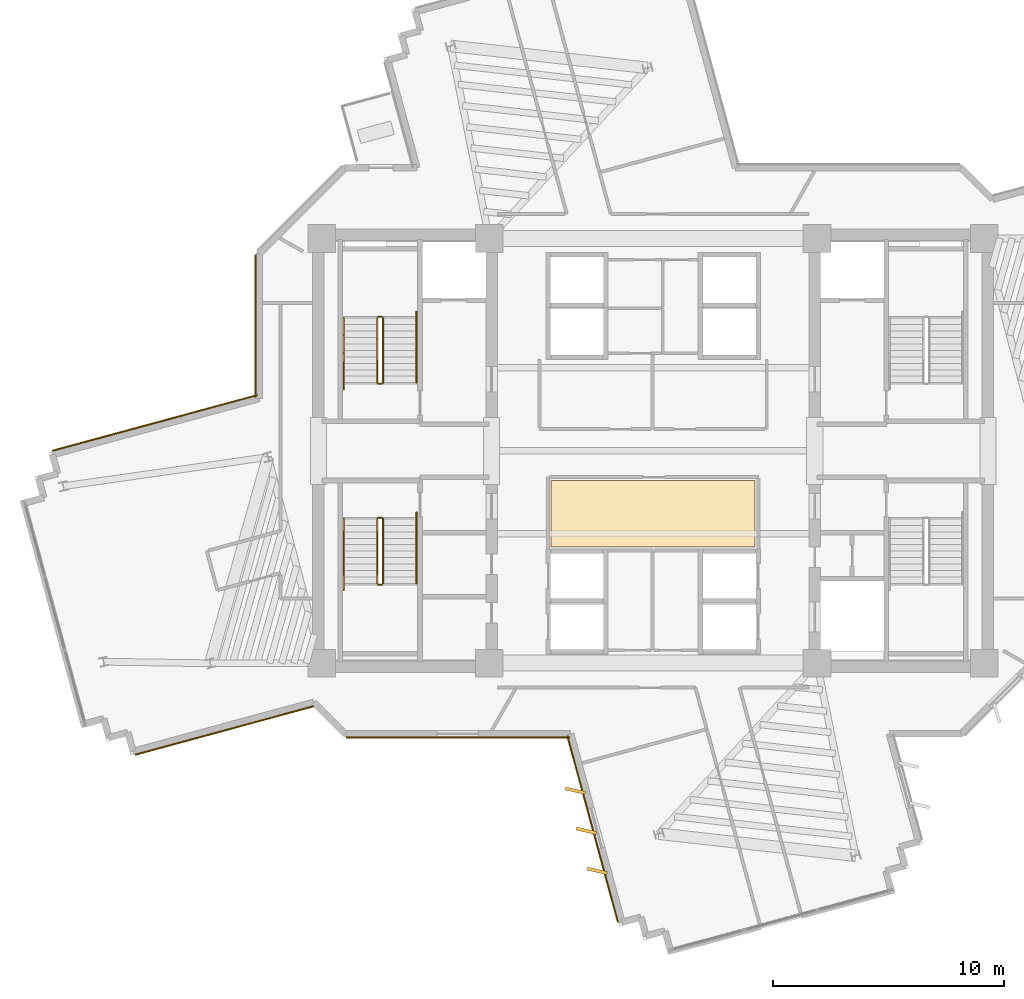
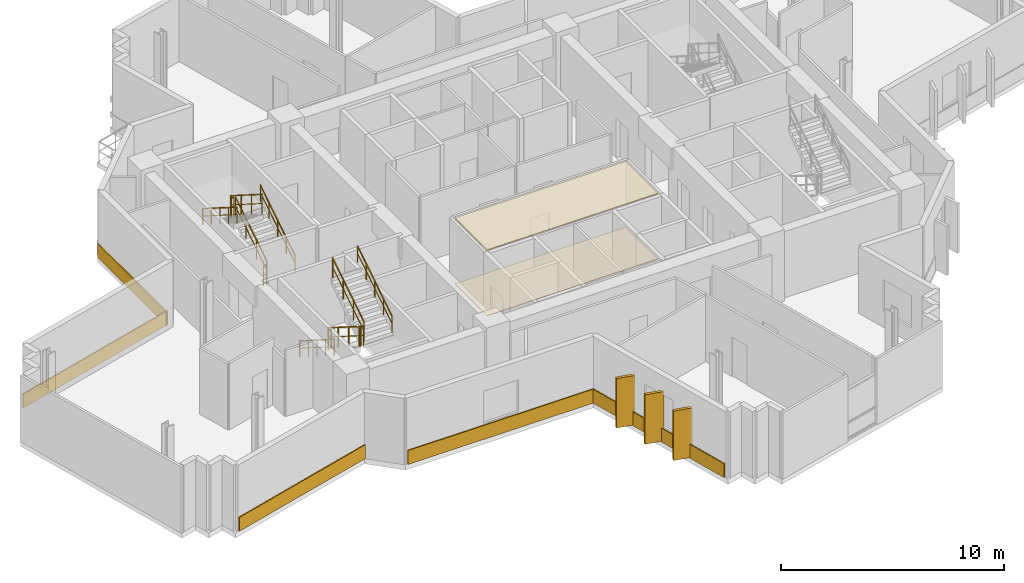
# One storey, part 13 of 15: 12 railings, 10 coverings.
"""IFC4 building model written with IfcOpenShell, lengths in metres."""

from ifc_helpers import new_model, si_unit, direction, frame, origin, origin_2d, place, context, subcontext, project, spatial, polyline, rectangle, outline, extrude, source, transform, mapped, material, layer, layer_set, type_object, element, save


model = new_model("IFC4")

# Units and contexts
model_context = context("Model", 3, precision=1e-05, world=origin(), true_north=direction((0.0, 1.0)))
body_context = subcontext(model_context, "Body", "Model", "MODEL_VIEW")
ifc_project = project(units=[si_unit("LENGTHUNIT", "METRE"), si_unit("AREAUNIT", "SQUARE_METRE"), si_unit("VOLUMEUNIT", "CUBIC_METRE"), si_unit("PLANEANGLEUNIT", "RADIAN"), si_unit("MASSUNIT", "GRAM", prefix="KILO")], contexts=[model_context])

# Site, building, storey
site_placement = place(None, origin())
site = spatial("IfcSite", under=ifc_project, at=site_placement, CompositionType="ELEMENT")
building_placement = place(site_placement, origin())
building = spatial("IfcBuilding", under=site, at=building_placement, Name="Zahravan Cultural Tower", CompositionType="ELEMENT")
storey_placement = place(building_placement, frame((0.0, 0.0, 194.10009765625)))
storey = spatial("IfcBuildingStorey", under=building, at=storey_placement, Name="L45", CompositionType="ELEMENT", Elevation=194.10009765625)

# Coverings
ifc_material_1 = material(Name="Acoustic mineral fibreboard")
ifc_layer_1 = layer(ifc_material_1, 0.0400390625)
ifc_layer_set_1 = layer_set([ifc_layer_1], Name="Acoustic mineral fibreboard")
covering_type_1 = type_object("IfcCoveringType", Name="COV-CEIL-AC20", PredefinedType="CEILING", material=ifc_layer_set_1)
covering_1_placement = place(storey_placement, frame((0.0, 0.0, 3.579833984375)))
element("IfcCovering", 1, at=covering_1_placement, inside=storey, type_object=covering_type_1, Name="L45 Acoustic Suspended Ceiling", PredefinedType="CEILING", context=body_context, shape_type="SweptSolid", body=[
    extrude(outline(polyline([(40.419921875, 25.719970703125), (31.580078125, 25.719970703125), (31.580078125, 22.830078125), (40.419921875, 22.830078125), (40.419921875, 25.719970703125)])), origin(), (0.0, 0.0, 1.0), 0.0400390625),
])
ifc_material_2 = material(Name="Terrazzo flooring")
ifc_layer_2 = layer(ifc_material_2, 0.02490234375)
ifc_layer_set_2 = layer_set([ifc_layer_2], Name="Terrazzo flooring")
covering_type_2 = type_object("IfcCoveringType", Name="COV-FLR-TZ25", PredefinedType="FLOORING", material=ifc_layer_set_2)
covering_2_placement = place(storey_placement, origin())
element("IfcCovering", 2, at=covering_2_placement, inside=storey, type_object=covering_type_2, Name="L45 Polished Terrazzo Flooring", PredefinedType="FLOORING", context=body_context, shape_type="SweptSolid", body=[
    extrude(outline(polyline([(40.419921875, 25.719970703125), (31.580078125, 25.719970703125), (31.580078125, 22.830078125), (40.419921875, 22.830078125), (40.419921875, 25.719970703125)])), origin(), (0.0, 0.0, 1.0), 0.02490234375),
])

# Railings
ifc_material_3 = material(Name="Steel ASTM A572 Grade 50", Category="steel")
railing_type_1 = type_object("IfcRailingType", Name="RL-STAIR-GRD1150", PredefinedType="BALUSTRADE", material=ifc_material_3)
railing_1_placement = place(storey_placement, frame((24.300048828125, 29.949951171875, 0.17724609375)))
element("IfcRailing", 3, at=railing_1_placement, inside=storey, type_object=railing_type_1, Name="L45 ST-W1 stair guard 1", PredefinedType="BALUSTRADE", context=body_context, shape_type="SweptSolid", body=[
    extrude(rectangle(XDim=0.05, YDim=0.05, at=origin_2d()), frame((0.0, 0.0, 1.0751953125), z_axis=(0.0, 0.844908973607, 0.534910110503), x_axis=(-1.0, 0.0, 0.0)), (0.0, 0.0, 1.0), 3.31396484375),
    extrude(rectangle(XDim=0.032, YDim=0.032, at=origin_2d()), frame((0.0, 0.0, 0.572021484375), z_axis=(0.0, 0.844908973607, 0.534910110503), x_axis=(-1.0, 0.0, 0.0)), (0.0, 0.0, 1.0), 3.31396484375),
    extrude(rectangle(XDim=0.04, YDim=0.04, at=origin_2d()), origin(), (0.0, 0.0, 1.0), 1.10009765625),
    extrude(rectangle(XDim=0.04, YDim=0.04, at=origin_2d()), frame((0.0, 0.933349609375, 0.5908203125)), (0.0, 0.0, 1.0), 1.10009765625),
    extrude(rectangle(XDim=0.04, YDim=0.04, at=origin_2d()), frame((0.0, 1.86669921875, 1.181884765625)), (0.0, 0.0, 1.0), 1.10009765625),
    extrude(rectangle(XDim=0.04, YDim=0.04, at=origin_2d()), frame((0.0, 2.800048828125, 1.772705078125)), (0.0, 0.0, 1.0), 1.10009765625),
])
railing_2_placement = place(storey_placement, frame((24.25, 32.800048828125, 1.949951171875)))
element("IfcRailing", 4, at=railing_2_placement, inside=storey, type_object=railing_type_1, Name="L45 ST-W1 stair guard 2", PredefinedType="BALUSTRADE", context=body_context, shape_type="SweptSolid", body=[
    extrude(rectangle(XDim=0.05, YDim=0.05, at=origin_2d()), frame((0.0, 0.0, 1.0751953125), z_axis=(-1.0, 0.0, 0.0), x_axis=(0.0, -1.0, 0.0)), (0.0, 0.0, 1.0), 0.14990234375),
    extrude(rectangle(XDim=0.032, YDim=0.032, at=origin_2d()), frame((0.0, 0.0, 0.572021484375), z_axis=(-1.0, 0.0, 0.0), x_axis=(0.0, -1.0, 0.0)), (0.0, 0.0, 1.0), 0.14990234375),
    extrude(rectangle(XDim=0.04, YDim=0.04, at=origin_2d()), origin(), (0.0, 0.0, 1.0), 1.10009765625),
    extrude(rectangle(XDim=0.04, YDim=0.04, at=origin_2d()), frame((-0.14990234375, 0.0, 0.0)), (0.0, 0.0, 1.0), 1.10009765625),
])
railing_3_placement = place(storey_placement, frame((24.050048828125, 32.75, 2.127197265625)))
element("IfcRailing", 5, at=railing_3_placement, inside=storey, type_object=railing_type_1, Name="L45 ST-W1 stair guard 3", PredefinedType="BALUSTRADE", context=body_context, shape_type="SweptSolid", body=[
    extrude(rectangle(XDim=0.05, YDim=0.05, at=origin_2d()), frame((0.0, 0.0, 1.0751953125), z_axis=(0.0, -0.844908973607, 0.534910110503), x_axis=(1.0, 0.0, 0.0)), (0.0, 0.0, 1.0), 3.31396484375),
    extrude(rectangle(XDim=0.032, YDim=0.032, at=origin_2d()), frame((0.0, 0.0, 0.572021484375), z_axis=(0.0, -0.844908973607, 0.534910110503), x_axis=(1.0, 0.0, 0.0)), (0.0, 0.0, 1.0), 3.31396484375),
    extrude(rectangle(XDim=0.04, YDim=0.04, at=origin_2d()), origin(), (0.0, 0.0, 1.0), 1.10009765625),
    extrude(rectangle(XDim=0.04, YDim=0.04, at=origin_2d()), frame((0.0, -0.933349609375, 0.5908203125)), (0.0, 0.0, 1.0), 1.10009765625),
    extrude(rectangle(XDim=0.04, YDim=0.04, at=origin_2d()), frame((0.0, -1.86669921875, 1.181884765625)), (0.0, 0.0, 1.0), 1.10009765625),
    extrude(rectangle(XDim=0.04, YDim=0.04, at=origin_2d()), frame((0.0, -2.800048828125, 1.772705078125)), (0.0, 0.0, 1.0), 1.10009765625),
])
railing_4_placement = place(storey_placement, frame((24.25, 29.89990234375, 0.0)))
element("IfcRailing", 6, at=railing_4_placement, inside=storey, type_object=railing_type_1, Name="L45 ST-W1 stair guard 4", PredefinedType="BALUSTRADE", context=body_context, shape_type="SweptSolid", body=[
    extrude(rectangle(XDim=0.05, YDim=0.05, at=origin_2d()), frame((0.0, 0.0, 1.0751953125), z_axis=(-1.0, 0.0, 0.0), x_axis=(0.0, -1.0, 0.0)), (0.0, 0.0, 1.0), 0.14990234375),
    extrude(rectangle(XDim=0.032, YDim=0.032, at=origin_2d()), frame((0.0, 0.0, 0.572021484375), z_axis=(-1.0, 0.0, 0.0), x_axis=(0.0, -1.0, 0.0)), (0.0, 0.0, 1.0), 0.14990234375),
    extrude(rectangle(XDim=0.04, YDim=0.04, at=origin_2d()), origin(), (0.0, 0.0, 1.0), 1.10009765625),
    extrude(rectangle(XDim=0.04, YDim=0.04, at=origin_2d()), frame((-0.14990234375, 0.0, 0.0)), (0.0, 0.0, 1.0), 1.10009765625),
])
railing_5_placement = place(storey_placement, frame((24.050048828125, 24.050048828125, 0.17724609375)))
element("IfcRailing", 7, at=railing_5_placement, inside=storey, type_object=railing_type_1, Name="L45 ST-W2 stair guard 1", PredefinedType="BALUSTRADE", context=body_context, shape_type="SweptSolid", body=[
    extrude(rectangle(XDim=0.05, YDim=0.05, at=origin_2d()), frame((0.0, 0.0, 1.0751953125), z_axis=(0.0, -0.844908973607, 0.534910110503), x_axis=(1.0, 0.0, 0.0)), (0.0, 0.0, 1.0), 3.31396484375),
    extrude(rectangle(XDim=0.032, YDim=0.032, at=origin_2d()), frame((0.0, 0.0, 0.572021484375), z_axis=(0.0, -0.844908973607, 0.534910110503), x_axis=(1.0, 0.0, 0.0)), (0.0, 0.0, 1.0), 3.31396484375),
    extrude(rectangle(XDim=0.04, YDim=0.04, at=origin_2d()), origin(), (0.0, 0.0, 1.0), 1.10009765625),
    extrude(rectangle(XDim=0.04, YDim=0.04, at=origin_2d()), frame((0.0, -0.933349609375, 0.5908203125)), (0.0, 0.0, 1.0), 1.10009765625),
    extrude(rectangle(XDim=0.04, YDim=0.04, at=origin_2d()), frame((0.0, -1.86669921875, 1.181884765625)), (0.0, 0.0, 1.0), 1.10009765625),
    extrude(rectangle(XDim=0.04, YDim=0.04, at=origin_2d()), frame((0.0, -2.800048828125, 1.772705078125)), (0.0, 0.0, 1.0), 1.10009765625),
])
railing_6_placement = place(storey_placement, frame((24.10009765625, 21.199951171875, 1.949951171875)))
element("IfcRailing", 8, at=railing_6_placement, inside=storey, type_object=railing_type_1, Name="L45 ST-W2 stair guard 2", PredefinedType="BALUSTRADE", context=body_context, shape_type="SweptSolid", body=[
    extrude(rectangle(XDim=0.05, YDim=0.05, at=origin_2d()), frame((0.0, 0.0, 1.0751953125), z_axis=(1.0, 0.0, 0.0), x_axis=(0.0, 1.0, 0.0)), (0.0, 0.0, 1.0), 0.14990234375),
    extrude(rectangle(XDim=0.032, YDim=0.032, at=origin_2d()), frame((0.0, 0.0, 0.572021484375), z_axis=(1.0, 0.0, 0.0), x_axis=(0.0, 1.0, 0.0)), (0.0, 0.0, 1.0), 0.14990234375),
    extrude(rectangle(XDim=0.04, YDim=0.04, at=origin_2d()), origin(), (0.0, 0.0, 1.0), 1.10009765625),
    extrude(rectangle(XDim=0.04, YDim=0.04, at=origin_2d()), frame((0.14990234375, 0.0, 0.0)), (0.0, 0.0, 1.0), 1.10009765625),
])
railing_7_placement = place(storey_placement, frame((24.300048828125, 21.25, 2.127197265625)))
element("IfcRailing", 9, at=railing_7_placement, inside=storey, type_object=railing_type_1, Name="L45 ST-W2 stair guard 3", PredefinedType="BALUSTRADE", context=body_context, shape_type="SweptSolid", body=[
    extrude(rectangle(XDim=0.05, YDim=0.05, at=origin_2d()), frame((0.0, 0.0, 1.0751953125), z_axis=(0.0, 0.844908973607, 0.534910110503), x_axis=(-1.0, 0.0, 0.0)), (0.0, 0.0, 1.0), 3.31396484375),
    extrude(rectangle(XDim=0.032, YDim=0.032, at=origin_2d()), frame((0.0, 0.0, 0.572021484375), z_axis=(0.0, 0.844908973607, 0.534910110503), x_axis=(-1.0, 0.0, 0.0)), (0.0, 0.0, 1.0), 3.31396484375),
    extrude(rectangle(XDim=0.04, YDim=0.04, at=origin_2d()), origin(), (0.0, 0.0, 1.0), 1.10009765625),
    extrude(rectangle(XDim=0.04, YDim=0.04, at=origin_2d()), frame((0.0, 0.933349609375, 0.5908203125)), (0.0, 0.0, 1.0), 1.10009765625),
    extrude(rectangle(XDim=0.04, YDim=0.04, at=origin_2d()), frame((0.0, 1.86669921875, 1.181884765625)), (0.0, 0.0, 1.0), 1.10009765625),
    extrude(rectangle(XDim=0.04, YDim=0.04, at=origin_2d()), frame((0.0, 2.800048828125, 1.772705078125)), (0.0, 0.0, 1.0), 1.10009765625),
])
railing_8_placement = place(storey_placement, frame((24.10009765625, 24.10009765625, 0.0)))
element("IfcRailing", 10, at=railing_8_placement, inside=storey, type_object=railing_type_1, Name="L45 ST-W2 stair guard 4", PredefinedType="BALUSTRADE", context=body_context, shape_type="SweptSolid", body=[
    extrude(rectangle(XDim=0.05, YDim=0.05, at=origin_2d()), frame((0.0, 0.0, 1.0751953125), z_axis=(1.0, 0.0, 0.0), x_axis=(0.0, 1.0, 0.0)), (0.0, 0.0, 1.0), 0.14990234375),
    extrude(rectangle(XDim=0.032, YDim=0.032, at=origin_2d()), frame((0.0, 0.0, 0.572021484375), z_axis=(1.0, 0.0, 0.0), x_axis=(0.0, 1.0, 0.0)), (0.0, 0.0, 1.0), 0.14990234375),
    extrude(rectangle(XDim=0.04, YDim=0.04, at=origin_2d()), origin(), (0.0, 0.0, 1.0), 1.10009765625),
    extrude(rectangle(XDim=0.04, YDim=0.04, at=origin_2d()), frame((0.14990234375, 0.0, 0.0)), (0.0, 0.0, 1.0), 1.10009765625),
])
railing_type_2 = type_object("IfcRailingType", Name="RL-STAIR-HR900", PredefinedType="HANDRAIL", material=ifc_material_3)
railing_9_placement = place(storey_placement, frame((25.75, 29.949951171875, 0.17724609375)))
element("IfcRailing", 11, at=railing_9_placement, inside=storey, type_object=railing_type_2, Name="L45 ST-W1 stair handrail 1", PredefinedType="HANDRAIL", context=body_context, shape_type="SweptSolid", body=[
    extrude(rectangle(XDim=0.05, YDim=0.05, at=origin_2d()), frame((0.0, 0.0, 0.875), z_axis=(0.0, 0.844913916606, 0.534902302785), x_axis=(-1.0, 0.0, 0.0)), (0.0, 0.0, 1.0), 3.6455078125),
    extrude(rectangle(XDim=0.032, YDim=0.032, at=origin_2d()), frame((0.0, 0.0, 0.468017578125), z_axis=(0.0, 0.844913916606, 0.534902302785), x_axis=(-1.0, 0.0, 0.0)), (0.0, 0.0, 1.0), 3.6455078125),
    extrude(rectangle(XDim=0.04, YDim=0.04, at=origin_2d()), origin(), (0.0, 0.0, 1.0), 0.89990234375),
    extrude(rectangle(XDim=0.04, YDim=0.04, at=origin_2d()), frame((0.0, 0.77001953125, 0.487548828125)), (0.0, 0.0, 1.0), 0.89990234375),
    extrude(rectangle(XDim=0.04, YDim=0.04, at=origin_2d()), frame((0.0, 1.5400390625, 0.97509765625)), (0.0, 0.0, 1.0), 0.89990234375),
    extrude(rectangle(XDim=0.04, YDim=0.04, at=origin_2d()), frame((0.0, 2.31005859375, 1.46240234375)), (0.0, 0.0, 1.0), 0.89990234375),
    extrude(rectangle(XDim=0.04, YDim=0.04, at=origin_2d()), frame((0.0, 3.080078125, 1.949951171875)), (0.0, 0.0, 1.0), 0.89990234375),
])
for number, where, name in (
    (12, (22.60009765625, 32.75, 2.127197265625), "L45 ST-W1 stair handrail 2"),
    (13, (22.60009765625, 24.050048828125, 0.17724609375), "L45 ST-W2 stair handrail 1"),
):
    element("IfcRailing", number, at=place(storey_placement, frame(where)), inside=storey, type_object=railing_type_2, Name=name, PredefinedType="HANDRAIL", context=body_context, shape_type="SweptSolid", body=[
        extrude(rectangle(XDim=0.05, YDim=0.05, at=origin_2d()), frame((0.0, 0.0, 0.875), z_axis=(0.0, -0.844913916606, 0.534902302785), x_axis=(1.0, 0.0, 0.0)), (0.0, 0.0, 1.0), 3.6455078125),
        extrude(rectangle(XDim=0.032, YDim=0.032, at=origin_2d()), frame((0.0, 0.0, 0.468017578125), z_axis=(0.0, -0.844913916606, 0.534902302785), x_axis=(1.0, 0.0, 0.0)), (0.0, 0.0, 1.0), 3.6455078125),
        extrude(rectangle(XDim=0.04, YDim=0.04, at=origin_2d()), origin(), (0.0, 0.0, 1.0), 0.89990234375),
        extrude(rectangle(XDim=0.04, YDim=0.04, at=origin_2d()), frame((0.0, -0.77001953125, 0.487548828125)), (0.0, 0.0, 1.0), 0.89990234375),
        extrude(rectangle(XDim=0.04, YDim=0.04, at=origin_2d()), frame((0.0, -1.5400390625, 0.97509765625)), (0.0, 0.0, 1.0), 0.89990234375),
        extrude(rectangle(XDim=0.04, YDim=0.04, at=origin_2d()), frame((0.0, -2.31005859375, 1.46240234375)), (0.0, 0.0, 1.0), 0.89990234375),
        extrude(rectangle(XDim=0.04, YDim=0.04, at=origin_2d()), frame((0.0, -3.080078125, 1.949951171875)), (0.0, 0.0, 1.0), 0.89990234375),
    ])
railing_10_placement = place(storey_placement, frame((25.75, 21.25, 2.127197265625)))
element("IfcRailing", 14, at=railing_10_placement, inside=storey, type_object=railing_type_2, Name="L45 ST-W2 stair handrail 2", PredefinedType="HANDRAIL", context=body_context, shape_type="SweptSolid", body=[
    extrude(rectangle(XDim=0.05, YDim=0.05, at=origin_2d()), frame((0.0, 0.0, 0.875), z_axis=(0.0, 0.844913916606, 0.534902302785), x_axis=(-1.0, 0.0, 0.0)), (0.0, 0.0, 1.0), 3.6455078125),
    extrude(rectangle(XDim=0.032, YDim=0.032, at=origin_2d()), frame((0.0, 0.0, 0.468017578125), z_axis=(0.0, 0.844913916606, 0.534902302785), x_axis=(-1.0, 0.0, 0.0)), (0.0, 0.0, 1.0), 3.6455078125),
    extrude(rectangle(XDim=0.04, YDim=0.04, at=origin_2d()), origin(), (0.0, 0.0, 1.0), 0.89990234375),
    extrude(rectangle(XDim=0.04, YDim=0.04, at=origin_2d()), frame((0.0, 0.77001953125, 0.487548828125)), (0.0, 0.0, 1.0), 0.89990234375),
    extrude(rectangle(XDim=0.04, YDim=0.04, at=origin_2d()), frame((0.0, 1.5400390625, 0.97509765625)), (0.0, 0.0, 1.0), 0.89990234375),
    extrude(rectangle(XDim=0.04, YDim=0.04, at=origin_2d()), frame((0.0, 2.31005859375, 1.46240234375)), (0.0, 0.0, 1.0), 0.89990234375),
    extrude(rectangle(XDim=0.04, YDim=0.04, at=origin_2d()), frame((0.0, 3.080078125, 1.949951171875)), (0.0, 0.0, 1.0), 0.89990234375),
])

# Coverings
ifc_material_4 = material(Name="Terracotta ceramic cladding", Category="masonry")
ifc_layer_3 = layer(ifc_material_4, 0.06005859375)
ifc_layer_set_3 = layer_set([ifc_layer_3], Name="Terracotta ceramic cladding")
covering_type_3 = type_object("IfcCoveringType", Name="COV-CLAD-TC60", PredefinedType="CLADDING", material=ifc_layer_set_3)
shared_shape_1 = source(origin(), body_context, "Body", "SweptSolid", [
    extrude(rectangle(XDim=0.8798828125, YDim=0.139892578125, at=origin_2d()), origin(), (0.0, 0.0, 1.0), 2.699951171875),
])
for number, where, z_axis, x_axis, name in (
    (15, (33.576904296875, 8.800537109375, 0.0498046875), (0.0, 0.0, 1.0), (-0.975149354306, 0.221548497619, 0.0), "L45 Herringbone Terracotta Fin 16"),
    (16, (33.10498046875, 10.53759765625, 0.0498046875), (0.0, 0.0, 1.0), (-0.975149354306, 0.221548497619, 0.0), "L45 Herringbone Terracotta Fin 17"),
    (17, (32.633056640625, 12.274658203125, 0.0498046875), (0.0, 0.0, 1.0), (-0.975149354306, 0.221548497619, 0.0), "L45 Herringbone Terracotta Fin 18"),
):
    element("IfcCovering", number, at=place(storey_placement, frame(where, z_axis=z_axis, x_axis=x_axis)), inside=storey, type_object=covering_type_3, Name=name, PredefinedType="CLADDING", context=body_context, shape_type="MappedRepresentation", body=[
        mapped(shared_shape_1, transform((0.0, 0.0, 0.0), x_axis=(1.0, 0.0, 0.0), y_axis=(0.0, 1.0, 0.0), z_axis=(0.0, 0.0, 1.0), scale=1.0)),
    ])
shared_shape_2 = source(origin(), body_context, "Body", "SweptSolid", [
    extrude(rectangle(XDim=8.01220703125, YDim=0.06005859375, at=origin_2d()), origin(), (0.0, 0.0, 1.0), 0.760009765625),
])
covering_3_placement = place(storey_placement, frame((17.423828125, 14.880615234375, 0.02001953125), z_axis=(0.0, 0.0, 1.0), x_axis=(-0.965016494472, -0.262189178641, 0.0)))
element("IfcCovering", 18, at=covering_3_placement, inside=storey, type_object=covering_type_3, Name="L45 Terracotta Spandrel Cladding 27", PredefinedType="CLADDING", context=body_context, shape_type="MappedRepresentation", body=[
    mapped(shared_shape_2, transform((0.0, 0.0, 0.0), x_axis=(1.0, 0.0, 0.0), y_axis=(0.0, 1.0, 0.0), z_axis=(0.0, 0.0, 1.0), scale=1.0)),
])
shared_shape_3 = source(origin(), body_context, "Body", "SweptSolid", [
    extrude(rectangle(XDim=9.19091796875, YDim=0.06005859375, at=origin_2d()), origin(), (0.0, 0.0, 1.0), 0.760009765625),
])
covering_4_placement = place(storey_placement, frame((14.413818359375, 28.20751953125, 0.02001953125), z_axis=(0.0, 0.0, 1.0), x_axis=(0.965016494472, 0.262189178641, 0.0)))
element("IfcCovering", 19, at=covering_4_placement, inside=storey, type_object=covering_type_3, Name="L45 Terracotta Spandrel Cladding 36", PredefinedType="CLADDING", context=body_context, shape_type="MappedRepresentation", body=[
    mapped(shared_shape_3, transform((0.0, 0.0, 0.0), x_axis=(1.0, 0.0, 0.0), y_axis=(0.0, 1.0, 0.0), z_axis=(0.0, 0.0, 1.0), scale=1.0)),
])
shared_shape_4 = source(origin(), body_context, "Body", "SweptSolid", [
    extrude(rectangle(XDim=6.17578125, YDim=0.06005859375, at=origin_2d()), origin(), (0.0, 0.0, 1.0), 0.760009765625),
])
covering_5_placement = place(storey_placement, frame((18.77490234375, 32.404296875, 0.02001953125), z_axis=(0.0, 0.0, 1.0), x_axis=(0.0, 1.0, 0.0)))
element("IfcCovering", 20, at=covering_5_placement, inside=storey, type_object=covering_type_3, Name="L45 Terracotta Spandrel Cladding 37", PredefinedType="CLADDING", context=body_context, shape_type="MappedRepresentation", body=[
    mapped(shared_shape_4, transform((0.0, 0.0, 0.0), x_axis=(1.0, 0.0, 0.0), y_axis=(0.0, 1.0, 0.0), z_axis=(0.0, 0.0, 1.0), scale=1.0)),
])
shared_shape_5 = source(origin(), body_context, "Body", "SweptSolid", [
    extrude(rectangle(XDim=8.364990234375, YDim=0.06005859375, at=origin_2d()), origin(), (0.0, 0.0, 1.0), 0.760009765625),
])
covering_6_placement = place(storey_placement, frame((33.3798828125, 10.6123046875, 0.02001953125), z_axis=(0.0, 0.0, 1.0), x_axis=(-0.262189178641, 0.965016494472, 0.0)))
element("IfcCovering", 21, at=covering_6_placement, inside=storey, type_object=covering_type_3, Name="L45 Terracotta Spandrel Cladding 24", PredefinedType="CLADDING", context=body_context, shape_type="MappedRepresentation", body=[
    mapped(shared_shape_5, transform((0.0, 0.0, 0.0), x_axis=(1.0, 0.0, 0.0), y_axis=(0.0, 1.0, 0.0), z_axis=(0.0, 0.0, 1.0), scale=1.0)),
])
shared_shape_6 = source(origin(), body_context, "Body", "SweptSolid", [
    extrude(rectangle(XDim=9.67138671875, YDim=0.06005859375, at=origin_2d()), origin(), (0.0, 0.0, 1.0), 0.760009765625),
])
covering_7_placement = place(storey_placement, frame((27.543701171875, 14.574951171875, 0.02001953125), z_axis=(0.0, 0.0, 1.0), x_axis=(-1.0, 0.0, 0.0)))
element("IfcCovering", 22, at=covering_7_placement, inside=storey, type_object=covering_type_3, Name="L45 Terracotta Spandrel Cladding 25", PredefinedType="CLADDING", context=body_context, shape_type="MappedRepresentation", body=[
    mapped(shared_shape_6, transform((0.0, 0.0, 0.0), x_axis=(1.0, 0.0, 0.0), y_axis=(0.0, 1.0, 0.0), z_axis=(0.0, 0.0, 1.0), scale=1.0)),
])

save(model, "model.ifc")
